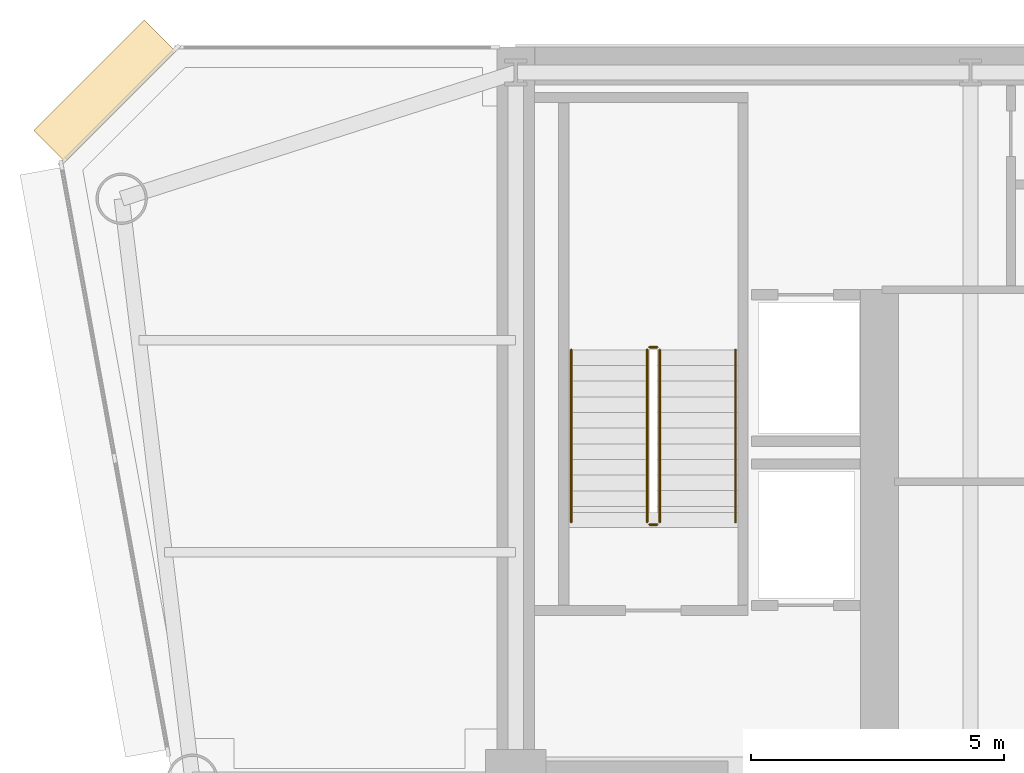
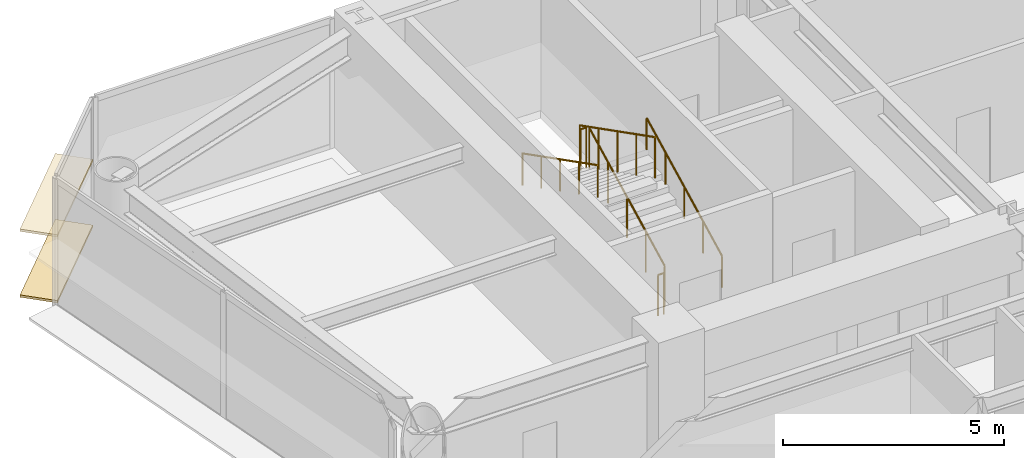
# One storey, part 12 of 14: 6 railings, 2 coverings.
"""IFC4 building model written with IfcOpenShell, lengths in metres."""

from ifc_helpers import new_model, si_unit, direction, frame, origin, origin_2d, place, context, subcontext, project, spatial, rectangle, circle, extrude, source, transform, mapped, material, layer, layer_set, type_object, element, save


model = new_model("IFC4")

# Units and contexts
model_context = context("Model", 3, precision=1e-05, world=origin(), true_north=direction((0.0, 1.0)))
body_context = subcontext(model_context, "Body", "Model", "MODEL_VIEW")
ifc_project = project(units=[si_unit("LENGTHUNIT", "METRE"), si_unit("AREAUNIT", "SQUARE_METRE"), si_unit("VOLUMEUNIT", "CUBIC_METRE"), si_unit("PLANEANGLEUNIT", "RADIAN"), si_unit("MASSUNIT", "GRAM", prefix="KILO")], contexts=[model_context])

# Site, building, storey
site_placement = place(None, origin())
site = spatial("IfcSite", under=ifc_project, at=site_placement, CompositionType="ELEMENT")
building_placement = place(site_placement, origin())
building = spatial("IfcBuilding", under=site, at=building_placement, Name="Vaeldorn Concourse Tower", CompositionType="ELEMENT")
storey_placement = place(building_placement, frame((0.0, 0.0, 137.60009765625)))
storey = spatial("IfcBuildingStorey", under=building, at=storey_placement, Name="L35", CompositionType="ELEMENT", Elevation=137.60009765625)

# Railings
ifc_material = material(Name="Anodised Bronze Aluminium", Category="aluminium")
railing_type_1 = type_object("IfcRailingType", Name="RL-STAIR-GUARD", PredefinedType="GUARDRAIL", material=ifc_material)
railing_1_placement = place(storey_placement, frame((16.85009765625, 41.60009765625, 0.158203125)))
element("IfcRailing", 1, at=railing_1_placement, inside=storey, type_object=railing_type_1, Name="L35 ST-1 stair guard 1", PredefinedType="GUARDRAIL", context=body_context, shape_type="SweptSolid", body=[
    extrude(circle(Radius=0.02392578125, at=origin_2d()), frame((0.0, 0.0, 1.1259765625), z_axis=(0.0, 0.890555807335, 0.454873997962), x_axis=(-1.0, 0.0, 0.0)), (0.0, 0.0, 1.0), 3.828857421875),
    extrude(circle(Radius=0.02099609375, at=origin_2d()), origin(), (0.0, 0.0, 1.0), 1.101806640625),
    extrude(circle(Radius=0.02099609375, at=origin_2d()), frame((0.0, 0.8525390625, 0.435546875)), (0.0, 0.0, 1.0), 1.101806640625),
    extrude(circle(Radius=0.02099609375, at=origin_2d()), frame((0.0, 1.705078125, 0.870849609375)), (0.0, 0.0, 1.0), 1.101806640625),
    extrude(circle(Radius=0.02099609375, at=origin_2d()), frame((0.0, 2.557373046875, 1.30615234375)), (0.0, 0.0, 1.0), 1.101806640625),
    extrude(circle(Radius=0.02099609375, at=origin_2d()), frame((0.0, 3.409912109375, 1.74169921875)), (0.0, 0.0, 1.0), 1.101806640625),
])
railing_2_placement = place(storey_placement, frame((16.800048828125, 45.06005859375, 1.89990234375)))
element("IfcRailing", 2, at=railing_2_placement, inside=storey, type_object=railing_type_1, Name="L35 ST-1 stair guard 2", PredefinedType="GUARDRAIL", context=body_context, shape_type="SweptSolid", body=[
    extrude(circle(Radius=0.02392578125, at=origin_2d()), frame((0.0, 0.0, 1.1259765625), z_axis=(-1.0, 0.0, 0.0), x_axis=(0.0, -1.0, 0.0)), (0.0, 0.0, 1.0), 0.150146484375),
    extrude(circle(Radius=0.02099609375, at=origin_2d()), origin(), (0.0, 0.0, 1.0), 1.101806640625),
    extrude(circle(Radius=0.02099609375, at=origin_2d()), frame((-0.150146484375, 0.0, 0.0)), (0.0, 0.0, 1.0), 1.101806640625),
])
railing_3_placement = place(storey_placement, frame((16.60009765625, 45.010009765625, 2.058349609375)))
element("IfcRailing", 3, at=railing_3_placement, inside=storey, type_object=railing_type_1, Name="L35 ST-1 stair guard 3", PredefinedType="GUARDRAIL", context=body_context, shape_type="SweptSolid", body=[
    extrude(circle(Radius=0.02392578125, at=origin_2d()), frame((0.0, 0.0, 1.1259765625), z_axis=(0.0, -0.890581635807, 0.454823427236), x_axis=(1.0, 0.0, 0.0)), (0.0, 0.0, 1.0), 3.828857421875),
    extrude(circle(Radius=0.02099609375, at=origin_2d()), origin(), (0.0, 0.0, 1.0), 1.101806640625),
    extrude(circle(Radius=0.02099609375, at=origin_2d()), frame((0.0, -0.8525390625, 0.435302734375)), (0.0, 0.0, 1.0), 1.101806640625),
    extrude(circle(Radius=0.02099609375, at=origin_2d()), frame((0.0, -1.705078125, 0.87060546875)), (0.0, 0.0, 1.0), 1.101806640625),
    extrude(circle(Radius=0.02099609375, at=origin_2d()), frame((0.0, -2.557373046875, 1.30615234375)), (0.0, 0.0, 1.0), 1.101806640625),
    extrude(circle(Radius=0.02099609375, at=origin_2d()), frame((0.0, -3.409912109375, 1.741455078125)), (0.0, 0.0, 1.0), 1.101806640625),
])
railing_4_placement = place(storey_placement, frame((16.800048828125, 41.550048828125, 0.0)))
element("IfcRailing", 4, at=railing_4_placement, inside=storey, type_object=railing_type_1, Name="L35 ST-1 stair guard 4", PredefinedType="GUARDRAIL", context=body_context, shape_type="SweptSolid", body=[
    extrude(circle(Radius=0.02392578125, at=origin_2d()), frame((0.0, 0.0, 1.1259765625), z_axis=(-1.0, 0.0, 0.0), x_axis=(0.0, -1.0, 0.0)), (0.0, 0.0, 1.0), 0.150146484375),
    extrude(circle(Radius=0.02099609375, at=origin_2d()), origin(), (0.0, 0.0, 1.0), 1.101806640625),
    extrude(circle(Radius=0.02099609375, at=origin_2d()), frame((-0.150146484375, 0.0, 0.0)), (0.0, 0.0, 1.0), 1.101806640625),
])
railing_type_2 = type_object("IfcRailingType", Name="RL-STAIR-HANDRAIL", PredefinedType="HANDRAIL", material=ifc_material)
railing_5_placement = place(storey_placement, frame((18.35009765625, 41.60009765625, 0.158203125)))
element("IfcRailing", 5, at=railing_5_placement, inside=storey, type_object=railing_type_2, Name="L35 ST-1 stair handrail 1", PredefinedType="HANDRAIL", context=body_context, shape_type="SweptSolid", body=[
    extrude(circle(Radius=0.02392578125, at=origin_2d()), frame((0.0, 0.0, 0.8759765625), z_axis=(0.0, 0.890555807335, 0.454873997962), x_axis=(-1.0, 0.0, 0.0)), (0.0, 0.0, 1.0), 3.828857421875),
    extrude(circle(Radius=0.02099609375, at=origin_2d()), origin(), (0.0, 0.0, 1.0), 0.851806640625),
    extrude(circle(Radius=0.02099609375, at=origin_2d()), frame((0.0, 0.8525390625, 0.435546875)), (0.0, 0.0, 1.0), 0.851806640625),
    extrude(circle(Radius=0.02099609375, at=origin_2d()), frame((0.0, 1.705078125, 0.870849609375)), (0.0, 0.0, 1.0), 0.851806640625),
    extrude(circle(Radius=0.02099609375, at=origin_2d()), frame((0.0, 2.557373046875, 1.30615234375)), (0.0, 0.0, 1.0), 0.851806640625),
    extrude(circle(Radius=0.02099609375, at=origin_2d()), frame((0.0, 3.409912109375, 1.74169921875)), (0.0, 0.0, 1.0), 0.851806640625),
])
railing_6_placement = place(storey_placement, frame((15.10009765625, 45.010009765625, 2.058349609375)))
element("IfcRailing", 6, at=railing_6_placement, inside=storey, type_object=railing_type_2, Name="L35 ST-1 stair handrail 2", PredefinedType="HANDRAIL", context=body_context, shape_type="SweptSolid", body=[
    extrude(circle(Radius=0.02392578125, at=origin_2d()), frame((0.0, 0.0, 0.8759765625), z_axis=(0.0, -0.890581635807, 0.454823427236), x_axis=(1.0, 0.0, 0.0)), (0.0, 0.0, 1.0), 3.828857421875),
    extrude(circle(Radius=0.02099609375, at=origin_2d()), origin(), (0.0, 0.0, 1.0), 0.851806640625),
    extrude(circle(Radius=0.02099609375, at=origin_2d()), frame((0.0, -0.8525390625, 0.435302734375)), (0.0, 0.0, 1.0), 0.851806640625),
    extrude(circle(Radius=0.02099609375, at=origin_2d()), frame((0.0, -1.705078125, 0.87060546875)), (0.0, 0.0, 1.0), 0.851806640625),
    extrude(circle(Radius=0.02099609375, at=origin_2d()), frame((0.0, -2.557373046875, 1.30615234375)), (0.0, 0.0, 1.0), 0.851806640625),
    extrude(circle(Radius=0.02099609375, at=origin_2d()), frame((0.0, -3.409912109375, 1.741455078125)), (0.0, 0.0, 1.0), 0.851806640625),
])

# Coverings
ifc_layer = layer(ifc_material, 0.06494140625)
ifc_layer_set = layer_set([ifc_layer], Name="Anodised Bronze Aluminium")
covering_type = type_object("IfcCoveringType", Name="SD-BRONZE-SUNSHADE", PredefinedType="USERDEFINED", material=ifc_layer_set)
shared_shape = source(origin(), body_context, "Body", "SweptSolid", [
    extrude(rectangle(XDim=3.0927734375, YDim=0.8798828125, at=origin_2d()), origin(), (0.0, 0.0, 1.0), 0.06494140625),
])
for number, where, z_axis, x_axis, name in (
    (7, (5.8671875, 50.1328125, 0.04736328125), (0.0, 0.0, 1.0), (-0.707106781187, -0.707106781187, 0.0), "Horizontal Bronze Sunshade L35-E10.1.1"),
    (8, (5.8671875, 50.1328125, 1.867431640625), (0.0, 0.0, 1.0), (-0.707106781187, -0.707106781187, 0.0), "Horizontal Bronze Sunshade L35-E10.1.2"),
):
    element("IfcCovering", number, at=place(storey_placement, frame(where, z_axis=z_axis, x_axis=x_axis)), inside=storey, type_object=covering_type, Name=name, ObjectType="SUNSHADE", PredefinedType="USERDEFINED", context=body_context, shape_type="MappedRepresentation", body=[
        mapped(shared_shape, transform((0.0, 0.0, 0.0), scale=1.0)),
    ])

save(model, "model.ifc")
